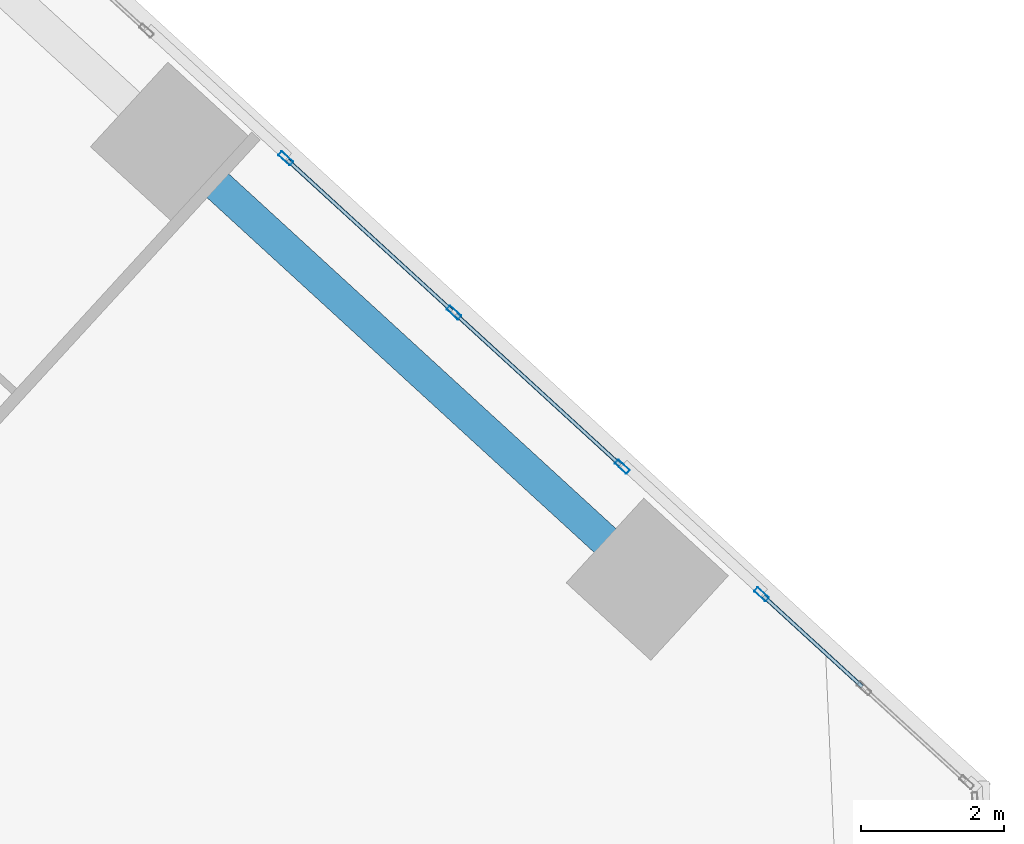
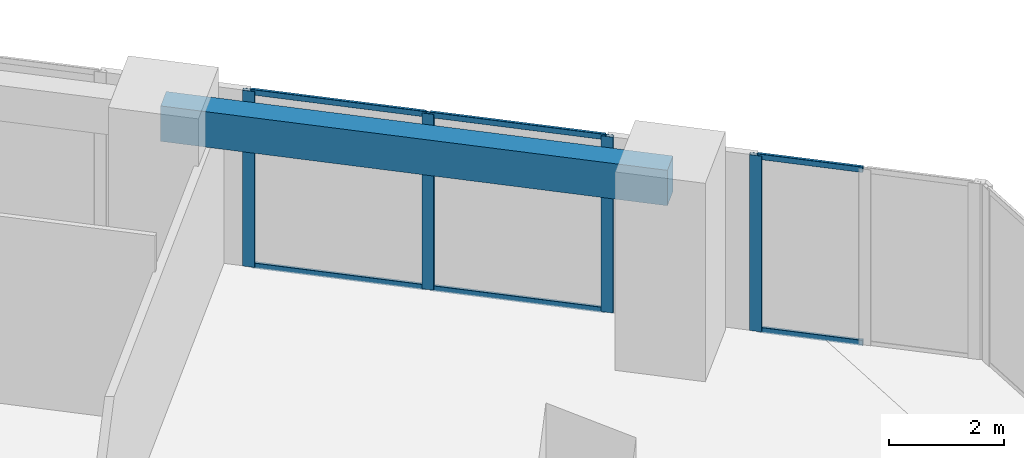
# One storey, part 8 of 18: 10 members, 1 beam, 2 elements without a shape of their own.
"""IFC4 building model written with IfcOpenShell, lengths in metres."""

from ifc_helpers import new_model, si_unit, direction, frame, origin, origin_2d, place, context, subcontext, project, spatial, rectangle, hollow_rectangle, extrude, source, transform, mapped, material, material_profile, profile_set, type_object, element, aggregate, save


model = new_model("IFC4")

# Units and contexts
model_context = context("Model", 3, precision=1e-05, world=origin(), true_north=direction((0.0, 1.0)))
body_context = subcontext(model_context, "Body", "Model", "MODEL_VIEW")
ifc_project = project(units=[si_unit("LENGTHUNIT", "METRE"), si_unit("AREAUNIT", "SQUARE_METRE"), si_unit("VOLUMEUNIT", "CUBIC_METRE"), si_unit("PLANEANGLEUNIT", "RADIAN"), si_unit("MASSUNIT", "GRAM", prefix="KILO")], contexts=[model_context])

# Site, building, storey
site_placement = place(None, origin())
site = spatial("IfcSite", under=ifc_project, at=site_placement, CompositionType="ELEMENT")
building_placement = place(site_placement, origin())
building = spatial("IfcBuilding", under=site, at=building_placement, Name="Torre Montelarca", CompositionType="ELEMENT")
storey_placement = place(building_placement, frame((0.0, 0.0, 237.39990234375)))
storey = spatial("IfcBuildingStorey", under=building, at=storey_placement, Name="L53", CompositionType="ELEMENT", Elevation=237.39990234375)

# Beam
ifc_material_1 = material(Name="Concrete C55/67", Category="concrete")
ifc_material_profile_1 = material_profile(ifc_material_1, rectangle(XDim=0.449951171875, YDim=0.75, at=origin_2d()), Name="RCB450X750", Category="concrete")
ifc_profile_set_1 = profile_set([ifc_material_profile_1], Name="Concrete C55/67")
beam_type = type_object("IfcBeamType", Name="BM-SP-RC750-EXT", PredefinedType="SPANDREL", material=ifc_profile_set_1)
shared_shape_1 = source(origin(), body_context, "Body", "SweptSolid", [
    extrude(rectangle(XDim=0.449951171875, YDim=0.75, at=origin_2d()), origin(), (0.0, 0.0, 1.0), 9.0),
])
beam_placement = place(storey_placement, frame((35.790283203125, 39.4541015625, 3.585205078125), z_axis=(0.73727686361, -0.675590724023, 0.0), x_axis=(0.675590724023, 0.73727686361, 0.0)))
element("IfcBeam", 1, at=beam_placement, inside=storey, type_object=beam_type, Name="L53 Grid Girder X 27.0-36.0 at Y=47.1", PredefinedType="SPANDREL", context=body_context, shape_type="MappedRepresentation", body=[
    mapped(shared_shape_1, transform((0.0, 0.0, 0.0), scale=1.0)),
])

# Curtain wall, members
ifc_material_2 = material(Name="Insulated low-E laminated glass", Category="glass")
curtain_wall_type = type_object("IfcCurtainWallType", Name="CW-SYS-Z3", PredefinedType="USERDEFINED", material=ifc_material_2)
curtain_wall_1_placement = place(storey_placement, origin())
curtain_wall_1 = element("IfcCurtainWall", 2, at=curtain_wall_1_placement, inside=storey, type_object=curtain_wall_type, Name="L53 Curtain Wall Run CW-T3-L53-E08-B2", ObjectType="UNITISED GLAZING", PredefinedType="USERDEFINED")
ifc_material_3 = material(Name="Anodised aluminium AA 6063-T6", Category="aluminium")
ifc_material_profile_2 = material_profile(ifc_material_3, hollow_rectangle(XDim=0.054931640625, YDim=0.1201171875, WallThickness=0.00341796875, InnerFilletRadius=0.00341796875, OuterFilletRadius=0.007080078125, at=origin_2d()), Name="ALU55X120X3.5", Category="aluminium")
ifc_profile_set_2 = profile_set([ifc_material_profile_2], Name="Anodised aluminium AA 6063-T6")
member_type_1 = type_object("IfcMemberType", Name="CWT-ALU120", PredefinedType="USERDEFINED", material=ifc_profile_set_2)
shared_shape_2 = source(origin(), body_context, "Body", "SweptSolid", [
    extrude(hollow_rectangle(XDim=0.054931640625, YDim=0.1201171875, WallThickness=0.00341796875, InnerFilletRadius=0.00341796875, OuterFilletRadius=0.007080078125, at=origin_2d()), origin(), (0.0, 0.0, 1.0), 3.107421875),
])
member_1_placement = place(storey_placement, frame((42.048095703125, 34.967529296875, 0.027587890625), z_axis=(-0.737271534665, 0.675596539491, 0.0), x_axis=(-0.675596539491, -0.737271534665, 0.0)))
member_1 = element("IfcMember", 3, at=member_1_placement, type_object=member_type_1, Name="CW transom 1.1", ObjectType="TRANSOM", PredefinedType="USERDEFINED", context=body_context, shape_type="MappedRepresentation", body=[
    mapped(shared_shape_2, transform((0.0, 0.0, 0.0), scale=1.0)),
])
member_2_placement = place(storey_placement, frame((42.048095703125, 34.967529296875, 3.692626953125), z_axis=(-0.737271534665, 0.675596539491, 0.0), x_axis=(-0.675596539491, -0.737271534665, 0.0)))
member_2 = element("IfcMember", 4, at=member_2_placement, type_object=member_type_1, Name="CW transom 1.2", ObjectType="TRANSOM", PredefinedType="USERDEFINED", context=body_context, shape_type="MappedRepresentation", body=[
    mapped(shared_shape_2, transform((0.0, 0.0, 0.0), scale=1.0)),
])
shared_shape_3 = source(origin(), body_context, "Body", "SweptSolid", [
    extrude(hollow_rectangle(XDim=0.054931640625, YDim=0.1201171875, WallThickness=0.00341796875, InnerFilletRadius=0.00341796875, OuterFilletRadius=0.007080078125, at=origin_2d()), origin(), (0.0, 0.0, 1.0), 3.107666015625),
])
member_3_placement = place(storey_placement, frame((39.701904296875, 37.117431640625, 0.027587890625), z_axis=(-0.737232401496, 0.675639242632, 0.0), x_axis=(-0.675639242632, -0.737232401496, 0.0)))
member_3 = element("IfcMember", 5, at=member_3_placement, type_object=member_type_1, Name="CW transom 2.1", ObjectType="TRANSOM", PredefinedType="USERDEFINED", context=body_context, shape_type="MappedRepresentation", body=[
    mapped(shared_shape_3, transform((0.0, 0.0, 0.0), scale=1.0)),
])
member_4_placement = place(storey_placement, frame((39.701904296875, 37.117431640625, 3.692626953125), z_axis=(-0.737232401496, 0.675639242632, 0.0), x_axis=(-0.675639242632, -0.737232401496, 0.0)))
member_4 = element("IfcMember", 6, at=member_4_placement, type_object=member_type_1, Name="CW transom 2.2", ObjectType="TRANSOM", PredefinedType="USERDEFINED", context=body_context, shape_type="MappedRepresentation", body=[
    mapped(shared_shape_3, transform((0.0, 0.0, 0.0), scale=1.0)),
])

curtain_wall_2_placement = place(storey_placement, origin())
curtain_wall_2 = element("IfcCurtainWall", 7, at=curtain_wall_2_placement, inside=storey, type_object=curtain_wall_type, Name="L53 Curtain Wall Run CW-T3-L53-E08-B1", ObjectType="UNITISED GLAZING", PredefinedType="USERDEFINED")
shared_shape_4 = source(origin(), body_context, "Body", "SweptSolid", [
    extrude(hollow_rectangle(XDim=0.054931640625, YDim=0.1201171875, WallThickness=0.00341796875, InnerFilletRadius=0.00341796875, OuterFilletRadius=0.007080078125, at=origin_2d()), origin(), (0.0, 0.0, 1.0), 1.864501953125),
])
member_5_placement = place(storey_placement, frame((45.421142578125, 31.876953125, 0.027587890625), z_axis=(-0.737333479841, 0.675528933138, 0.0), x_axis=(-0.675528933138, -0.737333479841, 0.0)))
member_5 = element("IfcMember", 8, at=member_5_placement, type_object=member_type_1, Name="CW transom 2.1", ObjectType="TRANSOM", PredefinedType="USERDEFINED", context=body_context, shape_type="MappedRepresentation", body=[
    mapped(shared_shape_4, transform((0.0, 0.0, 0.0), scale=1.0)),
])
member_6_placement = place(storey_placement, frame((45.421142578125, 31.876953125, 3.692626953125), z_axis=(-0.737333479841, 0.675528933138, 0.0), x_axis=(-0.675528933138, -0.737333479841, 0.0)))
member_6 = element("IfcMember", 9, at=member_6_placement, type_object=member_type_1, Name="CW transom 2.2", ObjectType="TRANSOM", PredefinedType="USERDEFINED", context=body_context, shape_type="MappedRepresentation", body=[
    mapped(shared_shape_4, transform((0.0, 0.0, 0.0), scale=1.0)),
])
ifc_material_profile_3 = material_profile(ifc_material_3, hollow_rectangle(XDim=0.074951171875, YDim=0.219970703125, WallThickness=0.0048828125, InnerFilletRadius=0.0048828125, OuterFilletRadius=0.010009765625, at=origin_2d()), Name="ALU75X220X5", Category="aluminium")
ifc_profile_set_3 = profile_set([ifc_material_profile_3], Name="Anodised aluminium AA 6063-T6")
member_type_2 = type_object("IfcMemberType", Name="CWM-ALU220", PredefinedType="MULLION", material=ifc_profile_set_3)
shared_shape_5 = source(origin(), body_context, "Body", "SweptSolid", [
    extrude(hollow_rectangle(XDim=0.074951171875, YDim=0.219970703125, WallThickness=0.0048828125, InnerFilletRadius=0.0048828125, OuterFilletRadius=0.010009765625, at=origin_2d()), origin(), (0.0, 0.0, 1.0), 3.72021484375),
])
member_7_placement = place(storey_placement, frame((44.0185546875, 33.161865234375, 0.0), z_axis=(0.0, 0.0, 1.0), x_axis=(-0.675580323, -0.73728639427, 0.0)))
member_7 = element("IfcMember", 10, at=member_7_placement, type_object=member_type_2, Name="CW mullion 3", PredefinedType="MULLION", context=body_context, shape_type="MappedRepresentation", body=[
    mapped(shared_shape_5, transform((0.0, 0.0, 0.0), scale=1.0)),
])
aggregate(curtain_wall_2, [member_7, member_5, member_6])

# Member
member_8_placement = place(storey_placement, frame((42.075927734375, 34.942138671875, 0.0), z_axis=(0.0, 0.0, 1.0), x_axis=(-0.675595237064, -0.737272728138, 0.0)))
member_8 = element("IfcMember", 11, at=member_8_placement, type_object=member_type_2, Name="CW mullion 1", PredefinedType="MULLION", context=body_context, shape_type="MappedRepresentation", body=[
    mapped(shared_shape_5, transform((0.0, 0.0, 0.0), scale=1.0)),
])

member_9_placement = place(storey_placement, frame((39.7294921875, 37.09228515625, 0.0), z_axis=(0.0, 0.0, 1.0), x_axis=(-0.675595237064, -0.737272728138, 0.0)))
member_9 = element("IfcMember", 12, at=member_9_placement, type_object=member_type_2, Name="CW mullion 2", PredefinedType="MULLION", context=body_context, shape_type="MappedRepresentation", body=[
    mapped(shared_shape_5, transform((0.0, 0.0, 0.0), scale=1.0)),
])

member_10_placement = place(storey_placement, frame((37.383056640625, 39.2421875, 0.0), z_axis=(0.0, 0.0, 1.0), x_axis=(-0.675595237064, -0.737272728138, 0.0)))
member_10 = element("IfcMember", 13, at=member_10_placement, type_object=member_type_2, Name="CW mullion 3", PredefinedType="MULLION", context=body_context, shape_type="MappedRepresentation", body=[
    mapped(shared_shape_5, transform((0.0, 0.0, 0.0), scale=1.0)),
])

aggregate(curtain_wall_1, [member_8, member_9, member_10, member_1, member_2, member_3, member_4])

save(model, "model.ifc")
